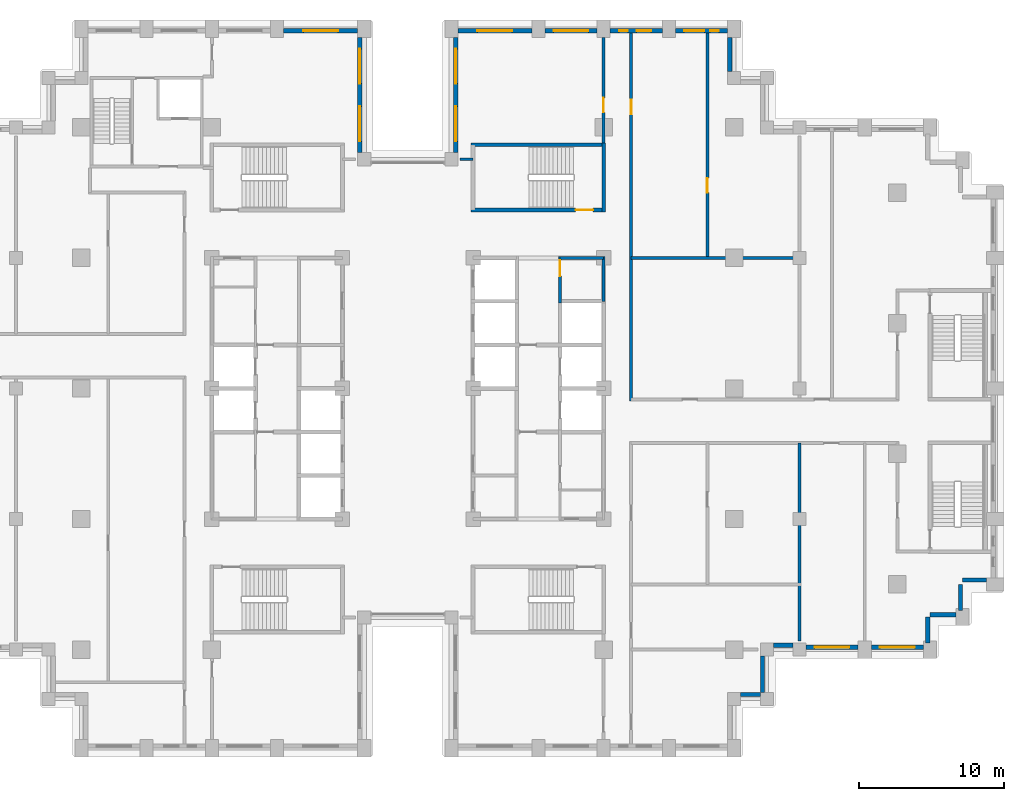
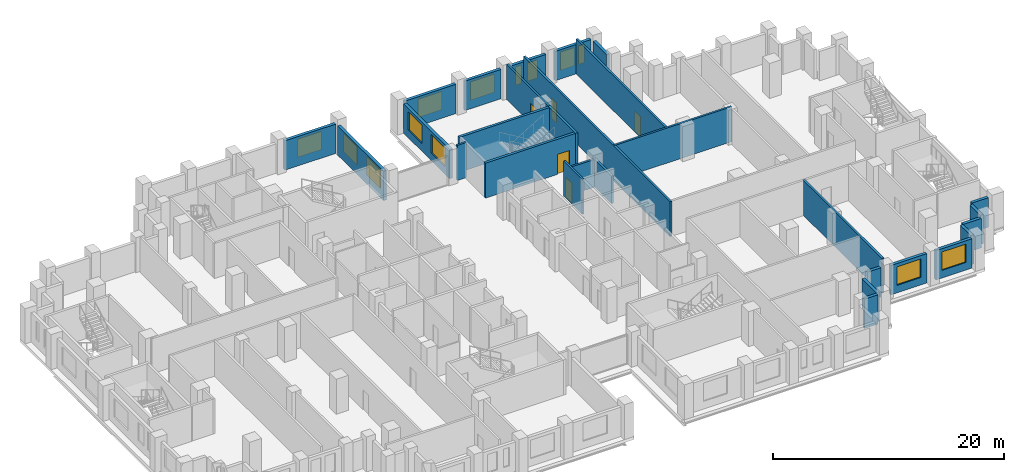
# One storey, part 11 of 16: 29 walls, 13 windows, 5 doors, 18 openings.
"""IFC4 building model written with IfcOpenShell, lengths in metres."""

from ifc_helpers import new_model, si_unit, direction, frame, frame_2d, origin, place, context, subcontext, project, spatial, rectangle, extrude, material, layer, layer_set, type_object, element, fill, save


model = new_model("IFC4")

# Units and contexts
model_context = context("Model", 3, precision=1e-05, world=origin(), true_north=direction((0.0, 1.0)))
body_context = subcontext(model_context, "Body", "Model", "MODEL_VIEW")
ifc_project = project(units=[si_unit("LENGTHUNIT", "METRE"), si_unit("AREAUNIT", "SQUARE_METRE"), si_unit("VOLUMEUNIT", "CUBIC_METRE"), si_unit("PLANEANGLEUNIT", "RADIAN"), si_unit("MASSUNIT", "GRAM", prefix="KILO")], contexts=[model_context])

# Site, building, storey
site_placement = place(None, origin())
site = spatial("IfcSite", under=ifc_project, at=site_placement, CompositionType="ELEMENT")
building_placement = place(site_placement, origin())
building = spatial("IfcBuilding", under=site, at=building_placement, Name="Corbelhall Arena Tower", CompositionType="ELEMENT")
storey_placement = place(building_placement, frame((0.0, 0.0, 104.0)))
storey = spatial("IfcBuildingStorey", under=building, at=storey_placement, Name="L18", CompositionType="ELEMENT", Elevation=104.0)

# Walls
ifc_material_1 = material(Name="Precast concrete C40/50 with granite facing", Category="masonry")
ifc_layer_1 = layer(ifc_material_1, 0.300048828125)
ifc_layer_set_1 = layer_set([ifc_layer_1], Name="EV-IW1 Infill panel 300")
wall_type_1 = type_object("IfcWallType", Name="EV-IW1 Infill panel 300", PredefinedType="SOLIDWALL", material=ifc_layer_set_1)
for number, where, z_axis, x_axis, name in (
    (1, (35.85009765625, -17.550048828125, 0.0), (0.0, 0.0, 1.0), (0.0, 1.0, 0.0), "Infill panel IW1"),
    (2, (37.800048828125, -15.60009765625, 0.0), (0.0, 0.0, 1.0), (-1.0, 0.0, 0.0), "Infill panel IW1"),
    (3, (38.10009765625, -15.300048828125, 0.0), (0.0, 0.0, 1.0), (0.0, 1.0, 0.0), "Infill panel IW1"),
):
    element("IfcWall", number, at=place(storey_placement, frame(where, z_axis=z_axis, x_axis=x_axis)), inside=storey, type_object=wall_type_1, Name=name, PredefinedType="SOLIDWALL", context=body_context, shape_type="SweptSolid", body=[
        extrude(rectangle(XDim=1.800048828125, YDim=0.300048828125, at=frame_2d((0.89990234375, 0.0))), origin(), (0.0, 0.0, 1.0), 3.10009765625),
    ])
wall_1_placement = place(storey_placement, frame((39.89990234375, -13.199951171875, 0.0), z_axis=(0.0, 0.0, 1.0), x_axis=(-1.0, 0.0, 0.0)))
element("IfcWall", 4, at=wall_1_placement, inside=storey, type_object=wall_type_1, Name="Infill panel IW1", PredefinedType="SOLIDWALL", context=body_context, shape_type="SweptSolid", body=[
    extrude(rectangle(XDim=1.64990234375, YDim=0.300048828125, at=frame_2d((0.824951171875, 0.0))), origin(), (0.0, 0.0, 1.0), 3.10009765625),
])
wall_2_placement = place(storey_placement, frame((22.949951171875, -21.10009765625, 0.0), z_axis=(0.0, 0.0, 1.0), x_axis=(1.0, 0.0, 0.0)))
element("IfcWall", 5, at=wall_2_placement, inside=storey, type_object=wall_type_1, Name="Infill panel IW1", PredefinedType="SOLIDWALL", context=body_context, shape_type="SweptSolid", body=[
    extrude(rectangle(XDim=1.35009765625, YDim=0.300048828125, at=frame_2d((0.675048828125, 0.0))), origin(), (0.0, 0.0, 1.0), 3.10009765625),
])
wall_3_placement = place(storey_placement, frame((24.449951171875, -20.949951171875, 0.0), z_axis=(0.0, 0.0, 1.0), x_axis=(0.0, 1.0, 0.0)))
element("IfcWall", 6, at=wall_3_placement, inside=storey, type_object=wall_type_1, Name="Infill panel IW1", PredefinedType="SOLIDWALL", context=body_context, shape_type="SweptSolid", body=[
    extrude(rectangle(XDim=2.5, YDim=0.300048828125, at=frame_2d((1.25, 0.0))), origin(), (0.0, 0.0, 1.0), 3.10009765625),
])
wall_4_placement = place(storey_placement, frame((25.199951171875, -17.699951171875, 0.0), z_axis=(0.0, 0.0, 1.0), x_axis=(1.0, 0.0, 0.0)))
element("IfcWall", 7, at=wall_4_placement, inside=storey, type_object=wall_type_1, Name="Infill panel IW1", PredefinedType="SOLIDWALL", context=body_context, shape_type="SweptSolid", body=[
    extrude(rectangle(XDim=1.35009765625, YDim=0.300048828125, at=frame_2d((0.675048828125, 0.0))), origin(), (0.0, 0.0, 1.0), 3.10009765625),
])

# Wall, opening, window
wall_5_placement = place(storey_placement, frame((27.449951171875, -17.85009765625, 0.0), z_axis=(0.0, 0.0, 1.0), x_axis=(1.0, 0.0, 0.0)))
wall_5 = element("IfcWall", 8, at=wall_5_placement, inside=storey, type_object=wall_type_1, Name="Infill panel IW1", PredefinedType="SOLIDWALL", context=body_context, shape_type="SweptSolid", body=[
    extrude(rectangle(XDim=3.60009765625, YDim=0.300048828125, at=frame_2d((1.800048828125, 0.0))), origin(), (0.0, 0.0, 1.0), 3.10009765625),
])
opening_1_placement = place(wall_5_placement, frame((0.60009765625, 0.0, 0.800048828125)))
opening_1 = element("IfcOpeningElement", 9, at=opening_1_placement, cuts=wall_5, Name="Opening WN1", PredefinedType="OPENING", context=body_context, shape_type="SweptSolid", body=[
    extrude(rectangle(XDim=2.39990234375, YDim=1.949951171875, at=frame_2d((1.199951171875, 0.97509765625))), frame((0.0, 0.14990234375, 0.0), z_axis=(0.0, -1.0, 0.0), x_axis=(1.0, 0.0, 0.0)), (0.0, 0.0, 1.0), 0.300048828125),
])
ifc_material_2 = material(Name="Aluminium black anodised", Category="aluminium")
window_type_1 = type_object("IfcWindowType", Name="EV-WN1 Office window", PartitioningType="SINGLE_PANEL", PredefinedType="WINDOW", material=ifc_material_2)
window_1_placement = place(opening_1_placement, origin())
window_1 = element("IfcWindow", 10, at=window_1_placement, inside=storey, type_object=window_type_1, Name="Window WN1", OverallHeight=1.949951171875, OverallWidth=2.39990234375, PartitioningType="SINGLE_PANEL", PredefinedType="WINDOW", context=body_context, shape_type="SweptSolid", body=[
    extrude(rectangle(XDim=2.39990234375, YDim=1.949951171875, at=frame_2d((1.199951171875, 0.97509765625))), frame((0.0, 0.030029296875, 0.0), z_axis=(0.0, -1.0, 0.0), x_axis=(1.0, 0.0, 0.0)), (0.0, 0.0, 1.0), 0.06005859375),
])
fill(opening_1, window_1)

wall_6_placement = place(storey_placement, frame((31.949951171875, -17.85009765625, 0.0), z_axis=(0.0, 0.0, 1.0), x_axis=(1.0, 0.0, 0.0)))
wall_6 = element("IfcWall", 11, at=wall_6_placement, inside=storey, type_object=wall_type_1, Name="Infill panel IW1", PredefinedType="SOLIDWALL", context=body_context, shape_type="SweptSolid", body=[
    extrude(rectangle(XDim=3.60009765625, YDim=0.300048828125, at=frame_2d((1.800048828125, 0.0))), origin(), (0.0, 0.0, 1.0), 3.10009765625),
])
opening_2_placement = place(wall_6_placement, frame((0.60009765625, 0.0, 0.800048828125)))
opening_2 = element("IfcOpeningElement", 12, at=opening_2_placement, cuts=wall_6, Name="Opening WN1", PredefinedType="OPENING", context=body_context, shape_type="SweptSolid", body=[
    extrude(rectangle(XDim=2.39990234375, YDim=1.949951171875, at=frame_2d((1.199951171875, 0.97509765625))), frame((0.0, 0.14990234375, 0.0), z_axis=(0.0, -1.0, 0.0), x_axis=(1.0, 0.0, 0.0)), (0.0, 0.0, 1.0), 0.300048828125),
])
window_2_placement = place(opening_2_placement, origin())
window_2 = element("IfcWindow", 13, at=window_2_placement, inside=storey, type_object=window_type_1, Name="Window WN1", OverallHeight=1.949951171875, OverallWidth=2.39990234375, PartitioningType="SINGLE_PANEL", PredefinedType="WINDOW", context=body_context, shape_type="SweptSolid", body=[
    extrude(rectangle(XDim=2.39990234375, YDim=1.949951171875, at=frame_2d((1.199951171875, 0.97509765625))), frame((0.0, 0.030029296875, 0.0), z_axis=(0.0, -1.0, 0.0), x_axis=(1.0, 0.0, 0.0)), (0.0, 0.0, 1.0), 0.06005859375),
])
fill(opening_2, window_2)

# Wall
wall_7_placement = place(storey_placement, frame((22.199951171875, 21.85009765625, 0.0), z_axis=(0.0, 0.0, 1.0), x_axis=(0.0, 1.0, 0.0)))
element("IfcWall", 14, at=wall_7_placement, inside=storey, type_object=wall_type_1, Name="Infill panel IW1", PredefinedType="SOLIDWALL", context=body_context, shape_type="SweptSolid", body=[
    extrude(rectangle(XDim=2.349853515625, YDim=0.300048828125, at=frame_2d((1.1748046875, 0.0))), origin(), (0.0, 0.0, 1.0), 3.10009765625),
])

# Wall, openings, windows
wall_8_placement = place(storey_placement, frame((22.050048828125, 24.64990234375, 0.0), z_axis=(0.0, 0.0, 1.0), x_axis=(-1.0, 0.0, 0.0)))
wall_8 = element("IfcWall", 15, at=wall_8_placement, inside=storey, type_object=wall_type_1, Name="Infill panel IW1", PredefinedType="SOLIDWALL", context=body_context, shape_type="SweptSolid", body=[
    extrude(rectangle(XDim=3.60009765625, YDim=0.300048828125, at=frame_2d((1.800048828125, 0.0))), origin(), (0.0, 0.0, 1.0), 3.10009765625),
])
opening_3_placement = place(wall_8_placement, frame((0.60009765625, 0.0, 0.800048828125)))
opening_3 = element("IfcOpeningElement", 16, at=opening_3_placement, cuts=wall_8, Name="Opening WN5", PredefinedType="OPENING", context=body_context, shape_type="SweptSolid", body=[
    extrude(rectangle(XDim=0.60009765625, YDim=1.949951171875, at=frame_2d((0.300048828125, 0.97509765625))), frame((0.0, 0.14990234375, 0.0), z_axis=(0.0, -1.0, 0.0), x_axis=(1.0, 0.0, 0.0)), (0.0, 0.0, 1.0), 0.300048828125),
])
opening_4_placement = place(wall_8_placement, frame((1.60009765625, 0.0, 0.800048828125)))
opening_4 = element("IfcOpeningElement", 17, at=opening_4_placement, cuts=wall_8, Name="Opening WN7", PredefinedType="OPENING", context=body_context, shape_type="SweptSolid", body=[
    extrude(rectangle(XDim=1.39990234375, YDim=1.949951171875, at=frame_2d((0.699951171875, 0.97509765625))), frame((0.0, 0.14990234375, 0.0), z_axis=(0.0, -1.0, 0.0), x_axis=(1.0, 0.0, 0.0)), (0.0, 0.0, 1.0), 0.300048828125),
])
window_type_2 = type_object("IfcWindowType", Name="EV-WN5 Office window 600", PartitioningType="SINGLE_PANEL", PredefinedType="WINDOW", material=ifc_material_2)
window_3_placement = place(opening_3_placement, origin())
window_3 = element("IfcWindow", 18, at=window_3_placement, inside=storey, type_object=window_type_2, Name="Window WN5", OverallHeight=1.949951171875, OverallWidth=0.60009765625, PartitioningType="SINGLE_PANEL", PredefinedType="WINDOW", context=body_context, shape_type="SweptSolid", body=[
    extrude(rectangle(XDim=0.60009765625, YDim=1.949951171875, at=frame_2d((0.300048828125, 0.97509765625))), frame((0.0, 0.030029296875, 0.0), z_axis=(0.0, -1.0, 0.0), x_axis=(1.0, 0.0, 0.0)), (0.0, 0.0, 1.0), 0.06005859375),
])
fill(opening_3, window_3)
window_type_3 = type_object("IfcWindowType", Name="EV-WN7 Office window 1400", PartitioningType="SINGLE_PANEL", PredefinedType="WINDOW", material=ifc_material_2)
window_4_placement = place(opening_4_placement, origin())
window_4 = element("IfcWindow", 19, at=window_4_placement, inside=storey, type_object=window_type_3, Name="Window WN7", OverallHeight=1.949951171875, OverallWidth=1.39990234375, PartitioningType="SINGLE_PANEL", PredefinedType="WINDOW", context=body_context, shape_type="SweptSolid", body=[
    extrude(rectangle(XDim=1.39990234375, YDim=1.949951171875, at=frame_2d((0.699951171875, 0.97509765625))), frame((0.0, 0.030029296875, 0.0), z_axis=(0.0, -1.0, 0.0), x_axis=(1.0, 0.0, 0.0)), (0.0, 0.0, 1.0), 0.06005859375),
])
fill(opening_4, window_4)

wall_9_placement = place(storey_placement, frame((17.550048828125, 24.64990234375, 0.0), z_axis=(0.0, 0.0, 1.0), x_axis=(-1.0, 0.0, 0.0)))
wall_9 = element("IfcWall", 20, at=wall_9_placement, inside=storey, type_object=wall_type_1, Name="Infill panel IW1", PredefinedType="SOLIDWALL", context=body_context, shape_type="SweptSolid", body=[
    extrude(rectangle(XDim=3.60009765625, YDim=0.300048828125, at=frame_2d((1.800048828125, 0.0))), origin(), (0.0, 0.0, 1.0), 3.10009765625),
])
opening_5_placement = place(wall_9_placement, frame((0.77490234375, 0.0, 0.800048828125)))
opening_5 = element("IfcOpeningElement", 21, at=opening_5_placement, cuts=wall_9, Name="Opening WN6", PredefinedType="OPENING", context=body_context, shape_type="SweptSolid", body=[
    extrude(rectangle(XDim=1.0, YDim=1.949951171875, at=frame_2d((0.5, 0.97509765625))), frame((0.0, 0.14990234375, 0.0), z_axis=(0.0, -1.0, 0.0), x_axis=(1.0, 0.0, 0.0)), (0.0, 0.0, 1.0), 0.300048828125),
])
opening_6_placement = place(wall_9_placement, frame((2.375, 0.0, 0.800048828125)))
opening_6 = element("IfcOpeningElement", 22, at=opening_6_placement, cuts=wall_9, Name="Opening WN5", PredefinedType="OPENING", context=body_context, shape_type="SweptSolid", body=[
    extrude(rectangle(XDim=0.60009765625, YDim=1.949951171875, at=frame_2d((0.300048828125, 0.97509765625))), frame((0.0, 0.14990234375, 0.0), z_axis=(0.0, -1.0, 0.0), x_axis=(1.0, 0.0, 0.0)), (0.0, 0.0, 1.0), 0.300048828125),
])
window_5_placement = place(opening_6_placement, origin())
window_5 = element("IfcWindow", 23, at=window_5_placement, inside=storey, type_object=window_type_2, Name="Window WN5", OverallHeight=1.949951171875, OverallWidth=0.60009765625, PartitioningType="SINGLE_PANEL", PredefinedType="WINDOW", context=body_context, shape_type="SweptSolid", body=[
    extrude(rectangle(XDim=0.60009765625, YDim=1.949951171875, at=frame_2d((0.300048828125, 0.97509765625))), frame((0.0, 0.030029296875, 0.0), z_axis=(0.0, -1.0, 0.0), x_axis=(1.0, 0.0, 0.0)), (0.0, 0.0, 1.0), 0.06005859375),
])
fill(opening_6, window_5)
window_type_4 = type_object("IfcWindowType", Name="EV-WN6 Office window 1000", PartitioningType="SINGLE_PANEL", PredefinedType="WINDOW", material=ifc_material_2)
window_6_placement = place(opening_5_placement, origin())
window_6 = element("IfcWindow", 24, at=window_6_placement, inside=storey, type_object=window_type_4, Name="Window WN6", OverallHeight=1.949951171875, OverallWidth=1.0, PartitioningType="SINGLE_PANEL", PredefinedType="WINDOW", context=body_context, shape_type="SweptSolid", body=[
    extrude(rectangle(XDim=1.0, YDim=1.949951171875, at=frame_2d((0.5, 0.97509765625))), frame((0.0, 0.030029296875, 0.0), z_axis=(0.0, -1.0, 0.0), x_axis=(1.0, 0.0, 0.0)), (0.0, 0.0, 1.0), 0.06005859375),
])
fill(opening_5, window_6)

# Wall, opening, window
wall_10_placement = place(storey_placement, frame((13.050048828125, 24.64990234375, 0.0), z_axis=(0.0, 0.0, 1.0), x_axis=(-1.0, 0.0, 0.0)))
wall_10 = element("IfcWall", 25, at=wall_10_placement, inside=storey, type_object=wall_type_1, Name="Infill panel IW1", PredefinedType="SOLIDWALL", context=body_context, shape_type="SweptSolid", body=[
    extrude(rectangle(XDim=3.60009765625, YDim=0.300048828125, at=frame_2d((1.800048828125, 0.0))), origin(), (0.0, 0.0, 1.0), 3.10009765625),
])
opening_7_placement = place(wall_10_placement, frame((0.60009765625, 0.0, 0.800048828125)))
opening_7 = element("IfcOpeningElement", 26, at=opening_7_placement, cuts=wall_10, Name="Opening WN1", PredefinedType="OPENING", context=body_context, shape_type="SweptSolid", body=[
    extrude(rectangle(XDim=2.39990234375, YDim=1.949951171875, at=frame_2d((1.199951171875, 0.97509765625))), frame((0.0, 0.14990234375, 0.0), z_axis=(0.0, -1.0, 0.0), x_axis=(1.0, 0.0, 0.0)), (0.0, 0.0, 1.0), 0.300048828125),
])
window_7_placement = place(opening_7_placement, origin())
window_7 = element("IfcWindow", 27, at=window_7_placement, inside=storey, type_object=window_type_1, Name="Window WN1", OverallHeight=1.949951171875, OverallWidth=2.39990234375, PartitioningType="SINGLE_PANEL", PredefinedType="WINDOW", context=body_context, shape_type="SweptSolid", body=[
    extrude(rectangle(XDim=2.39990234375, YDim=1.949951171875, at=frame_2d((1.199951171875, 0.97509765625))), frame((0.0, 0.030029296875, 0.0), z_axis=(0.0, -1.0, 0.0), x_axis=(1.0, 0.0, 0.0)), (0.0, 0.0, 1.0), 0.06005859375),
])
fill(opening_7, window_7)

wall_11_placement = place(storey_placement, frame((8.550048828125, 24.64990234375, 0.0), z_axis=(0.0, 0.0, 1.0), x_axis=(-1.0, 0.0, 0.0)))
wall_11 = element("IfcWall", 28, at=wall_11_placement, inside=storey, type_object=wall_type_1, Name="Infill panel IW1", PredefinedType="SOLIDWALL", context=body_context, shape_type="SweptSolid", body=[
    extrude(rectangle(XDim=5.10009765625, YDim=0.300048828125, at=frame_2d((2.550048828125, 0.0))), origin(), (0.0, 0.0, 1.0), 3.10009765625),
])
opening_8_placement = place(wall_11_placement, frame((1.35009765625, 0.0, 0.800048828125)))
opening_8 = element("IfcOpeningElement", 29, at=opening_8_placement, cuts=wall_11, Name="Opening WN1", PredefinedType="OPENING", context=body_context, shape_type="SweptSolid", body=[
    extrude(rectangle(XDim=2.39990234375, YDim=1.949951171875, at=frame_2d((1.199951171875, 0.97509765625))), frame((0.0, 0.14990234375, 0.0), z_axis=(0.0, -1.0, 0.0), x_axis=(1.0, 0.0, 0.0)), (0.0, 0.0, 1.0), 0.300048828125),
])
window_8_placement = place(opening_8_placement, origin())
window_8 = element("IfcWindow", 30, at=window_8_placement, inside=storey, type_object=window_type_1, Name="Window WN1", OverallHeight=1.949951171875, OverallWidth=2.39990234375, PartitioningType="SINGLE_PANEL", PredefinedType="WINDOW", context=body_context, shape_type="SweptSolid", body=[
    extrude(rectangle(XDim=2.39990234375, YDim=1.949951171875, at=frame_2d((1.199951171875, 0.97509765625))), frame((0.0, 0.030029296875, 0.0), z_axis=(0.0, -1.0, 0.0), x_axis=(1.0, 0.0, 0.0)), (0.0, 0.0, 1.0), 0.06005859375),
])
fill(opening_8, window_8)

# Wall, openings, windows
wall_12_placement = place(storey_placement, frame((3.300048828125, 24.199951171875, 0.0), z_axis=(0.0, 0.0, 1.0), x_axis=(0.0, -1.0, 0.0)))
wall_12 = element("IfcWall", 31, at=wall_12_placement, inside=storey, type_object=wall_type_1, Name="Infill panel IW1", PredefinedType="SOLIDWALL", context=body_context, shape_type="SweptSolid", body=[
    extrude(rectangle(XDim=7.949951171875, YDim=0.300048828125, at=frame_2d((3.97509765625, 0.0))), origin(), (0.0, 0.0, 1.0), 3.10009765625),
])
opening_9_placement = place(wall_12_placement, frame((0.78759765625, 0.0, 0.800048828125)))
opening_9 = element("IfcOpeningElement", 32, at=opening_9_placement, cuts=wall_12, Name="Opening WN1", PredefinedType="OPENING", context=body_context, shape_type="SweptSolid", body=[
    extrude(rectangle(XDim=2.39990234375, YDim=1.949951171875, at=frame_2d((1.199951171875, 0.97509765625))), frame((0.0, 0.14990234375, 0.0), z_axis=(0.0, -1.0, 0.0), x_axis=(1.0, 0.0, 0.0)), (0.0, 0.0, 1.0), 0.300048828125),
])
opening_10_placement = place(wall_12_placement, frame((4.762451171875, 0.0, 0.800048828125)))
opening_10 = element("IfcOpeningElement", 33, at=opening_10_placement, cuts=wall_12, Name="Opening WN1", PredefinedType="OPENING", context=body_context, shape_type="SweptSolid", body=[
    extrude(rectangle(XDim=2.39990234375, YDim=1.949951171875, at=frame_2d((1.199951171875, 0.97509765625))), frame((0.0, 0.14990234375, 0.0), z_axis=(0.0, -1.0, 0.0), x_axis=(1.0, 0.0, 0.0)), (0.0, 0.0, 1.0), 0.300048828125),
])
window_9_placement = place(opening_9_placement, origin())
window_9 = element("IfcWindow", 34, at=window_9_placement, inside=storey, type_object=window_type_1, Name="Window WN1", OverallHeight=1.949951171875, OverallWidth=2.39990234375, PartitioningType="SINGLE_PANEL", PredefinedType="WINDOW", context=body_context, shape_type="SweptSolid", body=[
    extrude(rectangle(XDim=2.39990234375, YDim=1.949951171875, at=frame_2d((1.199951171875, 0.97509765625))), frame((0.0, 0.030029296875, 0.0), z_axis=(0.0, -1.0, 0.0), x_axis=(1.0, 0.0, 0.0)), (0.0, 0.0, 1.0), 0.06005859375),
])
fill(opening_9, window_9)
window_10_placement = place(opening_10_placement, origin())
window_10 = element("IfcWindow", 35, at=window_10_placement, inside=storey, type_object=window_type_1, Name="Window WN1", OverallHeight=1.949951171875, OverallWidth=2.39990234375, PartitioningType="SINGLE_PANEL", PredefinedType="WINDOW", context=body_context, shape_type="SweptSolid", body=[
    extrude(rectangle(XDim=2.39990234375, YDim=1.949951171875, at=frame_2d((1.199951171875, 0.97509765625))), frame((0.0, 0.030029296875, 0.0), z_axis=(0.0, -1.0, 0.0), x_axis=(1.0, 0.0, 0.0)), (0.0, 0.0, 1.0), 0.06005859375),
])
fill(opening_10, window_10)

wall_13_placement = place(storey_placement, frame((-3.300048828125, 16.25, 0.0), z_axis=(0.0, 0.0, 1.0), x_axis=(0.0, 1.0, 0.0)))
wall_13 = element("IfcWall", 36, at=wall_13_placement, inside=storey, type_object=wall_type_1, Name="Infill panel IW1", PredefinedType="SOLIDWALL", context=body_context, shape_type="SweptSolid", body=[
    extrude(rectangle(XDim=7.949951171875, YDim=0.300048828125, at=frame_2d((3.97509765625, 0.0))), origin(), (0.0, 0.0, 1.0), 3.10009765625),
])
opening_11_placement = place(wall_13_placement, frame((0.78759765625, 0.0, 0.800048828125)))
opening_11 = element("IfcOpeningElement", 37, at=opening_11_placement, cuts=wall_13, Name="Opening WN1", PredefinedType="OPENING", context=body_context, shape_type="SweptSolid", body=[
    extrude(rectangle(XDim=2.39990234375, YDim=1.949951171875, at=frame_2d((1.199951171875, 0.97509765625))), frame((0.0, 0.14990234375, 0.0), z_axis=(0.0, -1.0, 0.0), x_axis=(1.0, 0.0, 0.0)), (0.0, 0.0, 1.0), 0.300048828125),
])
opening_12_placement = place(wall_13_placement, frame((4.762451171875, 0.0, 0.800048828125)))
opening_12 = element("IfcOpeningElement", 38, at=opening_12_placement, cuts=wall_13, Name="Opening WN1", PredefinedType="OPENING", context=body_context, shape_type="SweptSolid", body=[
    extrude(rectangle(XDim=2.39990234375, YDim=1.949951171875, at=frame_2d((1.199951171875, 0.97509765625))), frame((0.0, 0.14990234375, 0.0), z_axis=(0.0, -1.0, 0.0), x_axis=(1.0, 0.0, 0.0)), (0.0, 0.0, 1.0), 0.300048828125),
])
window_11_placement = place(opening_11_placement, origin())
window_11 = element("IfcWindow", 39, at=window_11_placement, inside=storey, type_object=window_type_1, Name="Window WN1", OverallHeight=1.949951171875, OverallWidth=2.39990234375, PartitioningType="SINGLE_PANEL", PredefinedType="WINDOW", context=body_context, shape_type="SweptSolid", body=[
    extrude(rectangle(XDim=2.39990234375, YDim=1.949951171875, at=frame_2d((1.199951171875, 0.97509765625))), frame((0.0, 0.030029296875, 0.0), z_axis=(0.0, -1.0, 0.0), x_axis=(1.0, 0.0, 0.0)), (0.0, 0.0, 1.0), 0.06005859375),
])
fill(opening_11, window_11)
window_12_placement = place(opening_12_placement, origin())
window_12 = element("IfcWindow", 40, at=window_12_placement, inside=storey, type_object=window_type_1, Name="Window WN1", OverallHeight=1.949951171875, OverallWidth=2.39990234375, PartitioningType="SINGLE_PANEL", PredefinedType="WINDOW", context=body_context, shape_type="SweptSolid", body=[
    extrude(rectangle(XDim=2.39990234375, YDim=1.949951171875, at=frame_2d((1.199951171875, 0.97509765625))), frame((0.0, 0.030029296875, 0.0), z_axis=(0.0, -1.0, 0.0), x_axis=(1.0, 0.0, 0.0)), (0.0, 0.0, 1.0), 0.06005859375),
])
fill(opening_12, window_12)

# Wall, opening, window
wall_14_placement = place(storey_placement, frame((-3.449951171875, 24.64990234375, 0.0), z_axis=(0.0, 0.0, 1.0), x_axis=(-1.0, 0.0, 0.0)))
wall_14 = element("IfcWall", 41, at=wall_14_placement, inside=storey, type_object=wall_type_1, Name="Infill panel IW1", PredefinedType="SOLIDWALL", context=body_context, shape_type="SweptSolid", body=[
    extrude(rectangle(XDim=5.10009765625, YDim=0.300048828125, at=frame_2d((2.550048828125, 0.0))), origin(), (0.0, 0.0, 1.0), 3.10009765625),
])
opening_13_placement = place(wall_14_placement, frame((1.35009765625, 0.0, 0.800048828125)))
opening_13 = element("IfcOpeningElement", 42, at=opening_13_placement, cuts=wall_14, Name="Opening WN1", PredefinedType="OPENING", context=body_context, shape_type="SweptSolid", body=[
    extrude(rectangle(XDim=2.39990234375, YDim=1.949951171875, at=frame_2d((1.199951171875, 0.97509765625))), frame((0.0, 0.14990234375, 0.0), z_axis=(0.0, -1.0, 0.0), x_axis=(1.0, 0.0, 0.0)), (0.0, 0.0, 1.0), 0.300048828125),
])
window_13_placement = place(opening_13_placement, origin())
window_13 = element("IfcWindow", 43, at=window_13_placement, inside=storey, type_object=window_type_1, Name="Window WN1", OverallHeight=1.949951171875, OverallWidth=2.39990234375, PartitioningType="SINGLE_PANEL", PredefinedType="WINDOW", context=body_context, shape_type="SweptSolid", body=[
    extrude(rectangle(XDim=2.39990234375, YDim=1.949951171875, at=frame_2d((1.199951171875, 0.97509765625))), frame((0.0, 0.030029296875, 0.0), z_axis=(0.0, -1.0, 0.0), x_axis=(1.0, 0.0, 0.0)), (0.0, 0.0, 1.0), 0.06005859375),
])
fill(opening_13, window_13)

# Wall
ifc_material_3 = material(Name="Gypsum board on steel stud, acoustic", Category="steel")
ifc_layer_2 = layer(ifc_material_3, 0.199951171875)
ifc_layer_set_2 = layer_set([ifc_layer_2], Name="IN-W-DM200")
wall_type_2 = type_object("IfcWallType", Name="IN-W-DM200", PredefinedType="PARTITIONING", material=ifc_layer_set_2)
wall_15_placement = place(storey_placement, frame((3.60009765625, 15.800048828125, 0.0), z_axis=(0.0, 0.0, 1.0), x_axis=(1.0, 0.0, 0.0)))
element("IfcWall", 44, at=wall_15_placement, inside=storey, type_object=wall_type_2, Name="Partition 023", PredefinedType="PARTITIONING", context=body_context, shape_type="SweptSolid", body=[
    extrude(rectangle(XDim=0.89990234375, YDim=0.199951171875, at=frame_2d((0.449951171875, 0.0))), origin(), (0.0, 0.0, 1.0), 3.699951171875),
])

# Wall, opening, door
wall_16_placement = place(storey_placement, frame((13.5, 16.675048828125, 0.0), z_axis=(0.0, 0.0, 1.0), x_axis=(0.0, 1.0, 0.0)))
wall_16 = element("IfcWall", 45, at=wall_16_placement, inside=storey, type_object=wall_type_2, Name="Partition 026", PredefinedType="PARTITIONING", context=body_context, shape_type="SweptSolid", body=[
    extrude(rectangle(XDim=7.52490234375, YDim=0.199951171875, at=frame_2d((3.762451171875, 0.0))), origin(), (0.0, 0.0, 1.0), 3.699951171875),
])
opening_14_placement = place(wall_16_placement, frame((2.35009765625, 0.0, 0.0)))
opening_14 = element("IfcOpeningElement", 46, at=opening_14_placement, cuts=wall_16, Name="Opening 04024", PredefinedType="OPENING", context=body_context, shape_type="SweptSolid", body=[
    extrude(rectangle(XDim=1.0, YDim=2.10009765625, at=frame_2d((0.5, 1.050048828125))), frame((0.0, 0.10009765625, 0.0), z_axis=(0.0, -1.0, 0.0), x_axis=(1.0, 0.0, 0.0)), (0.0, 0.0, 1.0), 0.199951171875),
])
ifc_material_4 = material(Name="Steel door set", Category="steel")
door_type_1 = type_object("IfcDoorType", Name="IN-D-SW100", OperationType="NOTDEFINED", PredefinedType="DOOR", material=ifc_material_4)
door_1_placement = place(opening_14_placement, origin())
door_1 = element("IfcDoor", 47, at=door_1_placement, inside=storey, type_object=door_type_1, Name="Door 024", OperationType="SINGLE_SWING_LEFT", OverallHeight=2.10009765625, OverallWidth=1.0, PredefinedType="DOOR", context=body_context, shape_type="SweptSolid", body=[
    extrude(rectangle(XDim=1.0, YDim=2.10009765625, at=frame_2d((0.5, 1.050048828125))), frame((0.0, 0.02490234375, 0.0), z_axis=(0.0, -1.0, 0.0), x_axis=(1.0, 0.0, 0.0)), (0.0, 0.0, 1.0), 0.050048828125),
])
fill(opening_14, door_1)

# Wall
wall_17_placement = place(storey_placement, frame((15.39990234375, 9.0, 0.0), z_axis=(0.0, 0.0, 1.0), x_axis=(1.0, 0.0, 0.0)))
element("IfcWall", 48, at=wall_17_placement, inside=storey, type_object=wall_type_2, Name="Partition 031", PredefinedType="PARTITIONING", context=body_context, shape_type="SweptSolid", body=[
    extrude(rectangle(XDim=11.7001953125, YDim=0.199951171875, at=frame_2d((5.85009765625, 0.0))), origin(), (0.0, 0.0, 1.0), 3.699951171875),
])

# Wall, opening, door
wall_18_placement = place(storey_placement, frame((15.39990234375, 24.5, 0.0), z_axis=(0.0, 0.0, 1.0), x_axis=(0.0, -1.0, 0.0)))
wall_18 = element("IfcWall", 49, at=wall_18_placement, inside=storey, type_object=wall_type_2, Name="Partition 032", PredefinedType="PARTITIONING", context=body_context, shape_type="SweptSolid", body=[
    extrude(rectangle(XDim=25.35009765625, YDim=0.199951171875, at=frame_2d((12.675048828125, 0.0))), origin(), (0.0, 0.0, 1.0), 3.699951171875),
])
opening_15_placement = place(wall_18_placement, frame((4.60009765625, 0.0, 0.0)))
opening_15 = element("IfcOpeningElement", 50, at=opening_15_placement, cuts=wall_18, Name="Opening 04033", PredefinedType="OPENING", context=body_context, shape_type="SweptSolid", body=[
    extrude(rectangle(XDim=1.0, YDim=2.10009765625, at=frame_2d((0.5, 1.050048828125))), frame((0.0, 0.10009765625, 0.0), z_axis=(0.0, -1.0, 0.0), x_axis=(1.0, 0.0, 0.0)), (0.0, 0.0, 1.0), 0.199951171875),
])
door_2_placement = place(opening_15_placement, origin())
door_2 = element("IfcDoor", 51, at=door_2_placement, inside=storey, type_object=door_type_1, Name="Door 033", OperationType="SINGLE_SWING_RIGHT", OverallHeight=2.10009765625, OverallWidth=1.0, PredefinedType="DOOR", context=body_context, shape_type="SweptSolid", body=[
    extrude(rectangle(XDim=1.0, YDim=2.10009765625, at=frame_2d((0.5, 1.050048828125))), frame((0.0, 0.02490234375, 0.0), z_axis=(0.0, -1.0, 0.0), x_axis=(1.0, 0.0, 0.0)), (0.0, 0.0, 1.0), 0.050048828125),
])
fill(opening_15, door_2)

wall_19_placement = place(storey_placement, frame((20.64990234375, 24.5, 0.0), z_axis=(0.0, 0.0, 1.0), x_axis=(0.0, -1.0, 0.0)))
wall_19 = element("IfcWall", 52, at=wall_19_placement, inside=storey, type_object=wall_type_2, Name="Partition 034", PredefinedType="PARTITIONING", context=body_context, shape_type="SweptSolid", body=[
    extrude(rectangle(XDim=15.5, YDim=0.199951171875, at=frame_2d((7.75, 0.0))), origin(), (0.0, 0.0, 1.0), 3.699951171875),
])
opening_16_placement = place(wall_19_placement, frame((10.0, 0.0, 0.0)))
opening_16 = element("IfcOpeningElement", 53, at=opening_16_placement, cuts=wall_19, Name="Opening 04034", PredefinedType="OPENING", context=body_context, shape_type="SweptSolid", body=[
    extrude(rectangle(XDim=1.0, YDim=2.10009765625, at=frame_2d((0.5, 1.050048828125))), frame((0.0, 0.10009765625, 0.0), z_axis=(0.0, -1.0, 0.0), x_axis=(1.0, 0.0, 0.0)), (0.0, 0.0, 1.0), 0.199951171875),
])
door_3_placement = place(opening_16_placement, origin())
door_3 = element("IfcDoor", 54, at=door_3_placement, inside=storey, type_object=door_type_1, Name="Door 034", OperationType="SINGLE_SWING_LEFT", OverallHeight=2.10009765625, OverallWidth=1.0, PredefinedType="DOOR", context=body_context, shape_type="SweptSolid", body=[
    extrude(rectangle(XDim=1.0, YDim=2.10009765625, at=frame_2d((0.5, 1.050048828125))), frame((0.0, 0.02490234375, 0.0), z_axis=(0.0, -1.0, 0.0), x_axis=(1.0, 0.0, 0.0)), (0.0, 0.0, 1.0), 0.050048828125),
])
fill(opening_16, door_3)

# Wall
wall_20_placement = place(storey_placement, frame((27.0, -3.75, 0.0), z_axis=(0.0, 0.0, 1.0), x_axis=(0.0, -1.0, 0.0)))
element("IfcWall", 55, at=wall_20_placement, inside=storey, type_object=wall_type_2, Name="Partition 036", PredefinedType="PARTITIONING", context=body_context, shape_type="SweptSolid", body=[
    extrude(rectangle(XDim=13.64990234375, YDim=0.199951171875, at=frame_2d((6.824951171875, 0.0))), origin(), (0.0, 0.0, 1.0), 3.699951171875),
])

# Wall, opening, door
ifc_material_5 = material(Name="Concrete block wall", Category="concrete")
ifc_layer_3 = layer(ifc_material_5, 0.199951171875)
ifc_layer_set_3 = layer_set([ifc_layer_3], Name="IN-W-RS200")
wall_type_3 = type_object("IfcWallType", Name="IN-W-RS200", PredefinedType="SOLIDWALL", material=ifc_layer_set_3)
wall_21_placement = place(storey_placement, frame((10.5, 9.10009765625, 0.0), z_axis=(0.0, 0.0, 1.0), x_axis=(0.0, -1.0, 0.0)))
wall_21 = element("IfcWall", 56, at=wall_21_placement, inside=storey, type_object=wall_type_3, Name="Partition 057", PredefinedType="SOLIDWALL", context=body_context, shape_type="SweptSolid", body=[
    extrude(rectangle(XDim=3.22509765625, YDim=0.199951171875, at=frame_2d((1.612548828125, 0.0))), origin(), (0.0, 0.0, 1.0), 3.699951171875),
])
opening_17_placement = place(wall_21_placement, frame((0.25, 0.0, 0.0)))
opening_17 = element("IfcOpeningElement", 57, at=opening_17_placement, cuts=wall_21, Name="Opening 04014", PredefinedType="OPENING", context=body_context, shape_type="SweptSolid", body=[
    extrude(rectangle(XDim=1.10009765625, YDim=2.10009765625, at=frame_2d((0.550048828125, 1.050048828125))), frame((0.0, 0.10009765625, 0.0), z_axis=(0.0, -1.0, 0.0), x_axis=(1.0, 0.0, 0.0)), (0.0, 0.0, 1.0), 0.199951171875),
])
door_type_2 = type_object("IfcDoorType", Name="IN-D-FD110", OperationType="NOTDEFINED", PredefinedType="DOOR", material=ifc_material_4)
door_4_placement = place(opening_17_placement, origin())
door_4 = element("IfcDoor", 58, at=door_4_placement, inside=storey, type_object=door_type_2, Name="Door 014", OperationType="SINGLE_SWING_LEFT", OverallHeight=2.10009765625, OverallWidth=1.10009765625, PredefinedType="DOOR", context=body_context, shape_type="SweptSolid", body=[
    extrude(rectangle(XDim=1.10009765625, YDim=2.10009765625, at=frame_2d((0.550048828125, 1.050048828125))), frame((0.0, 0.02490234375, 0.0), z_axis=(0.0, -1.0, 0.0), x_axis=(1.0, 0.0, 0.0)), (0.0, 0.0, 1.0), 0.050048828125),
])
fill(opening_17, door_4)

# Walls
ifc_layer_4 = layer(ifc_material_5, 0.199951171875)
ifc_layer_set_4 = layer_set([ifc_layer_4], Name="IN-W-RS200 under beam 762 mm")
wall_type_4 = type_object("IfcWallType", Name="IN-W-RS200 under beam 762 mm", PredefinedType="SOLIDWALL", material=ifc_layer_set_4)
wall_22_placement = place(storey_placement, frame((10.5, 9.0, 0.0), z_axis=(0.0, 0.0, 1.0), x_axis=(1.0, 0.0, 0.0)))
element("IfcWall", 59, at=wall_22_placement, inside=storey, type_object=wall_type_4, Name="Partition 056", PredefinedType="SOLIDWALL", context=body_context, shape_type="SweptSolid", body=[
    extrude(rectangle(XDim=3.0, YDim=0.199951171875, at=frame_2d((1.5, 0.0))), origin(), (0.0, 0.0, 1.0), 2.93798828125),
])
wall_23_placement = place(storey_placement, frame((13.5, 9.10009765625, 0.0), z_axis=(0.0, 0.0, 1.0), x_axis=(0.0, -1.0, 0.0)))
element("IfcWall", 60, at=wall_23_placement, inside=storey, type_object=wall_type_4, Name="Partition 059", PredefinedType="SOLIDWALL", context=body_context, shape_type="SweptSolid", body=[
    extrude(rectangle(XDim=3.10009765625, YDim=0.199951171875, at=frame_2d((1.550048828125, 0.0))), origin(), (0.0, 0.0, 1.0), 2.93798828125),
])

# Wall, opening, door
ifc_material_6 = material(Name="Concrete C40/50", Category="concrete")
ifc_layer_5 = layer(ifc_material_6, 0.25)
ifc_layer_set_5 = layer_set([ifc_layer_5], Name="IN-W-ST250")
wall_type_5 = type_object("IfcWallType", Name="IN-W-ST250", PredefinedType="SOLIDWALL", material=ifc_layer_set_5)
wall_24_placement = place(storey_placement, frame((4.375, 12.300048828125, 0.0), z_axis=(0.0, 0.0, 1.0), x_axis=(1.0, 0.0, 0.0)))
wall_24 = element("IfcWall", 61, at=wall_24_placement, inside=storey, type_object=wall_type_5, Name="Shaft wall 095", PredefinedType="SOLIDWALL", context=body_context, shape_type="SweptSolid", body=[
    extrude(rectangle(XDim=9.125, YDim=0.25, at=frame_2d((4.5625, 0.0))), origin(), (0.0, 0.0, 1.0), 3.699951171875),
])
opening_18_placement = place(wall_24_placement, frame((7.199951171875, 0.0, 0.0)))
opening_18 = element("IfcOpeningElement", 62, at=opening_18_placement, cuts=wall_24, Name="Opening 04017", PredefinedType="OPENING", context=body_context, shape_type="SweptSolid", body=[
    extrude(rectangle(XDim=1.199951171875, YDim=2.10009765625, at=frame_2d((0.60009765625, 1.050048828125))), frame((0.0, 0.125, 0.0), z_axis=(0.0, -1.0, 0.0), x_axis=(1.0, 0.0, 0.0)), (0.0, 0.0, 1.0), 0.25),
])
door_type_3 = type_object("IfcDoorType", Name="IN-D-ST120", OperationType="NOTDEFINED", PredefinedType="DOOR", material=ifc_material_4)
door_5_placement = place(opening_18_placement, origin())
door_5 = element("IfcDoor", 63, at=door_5_placement, inside=storey, type_object=door_type_3, Name="Door 017", OperationType="SINGLE_SWING_RIGHT", OverallHeight=2.10009765625, OverallWidth=1.199951171875, PredefinedType="DOOR", context=body_context, shape_type="SweptSolid", body=[
    extrude(rectangle(XDim=1.199951171875, YDim=2.10009765625, at=frame_2d((0.60009765625, 1.050048828125))), frame((0.0, 0.02490234375, 0.0), z_axis=(0.0, -1.0, 0.0), x_axis=(1.0, 0.0, 0.0)), (0.0, 0.0, 1.0), 0.050048828125),
])
fill(opening_18, door_5)

# Walls
wall_25_placement = place(storey_placement, frame((4.375, 16.800048828125, 0.0), z_axis=(0.0, 0.0, 1.0), x_axis=(1.0, 0.0, 0.0)))
element("IfcWall", 64, at=wall_25_placement, inside=storey, type_object=wall_type_5, Name="Shaft wall 096", PredefinedType="SOLIDWALL", context=body_context, shape_type="SweptSolid", body=[
    extrude(rectangle(XDim=9.125, YDim=0.25, at=frame_2d((4.5625, 0.0))), origin(), (0.0, 0.0, 1.0), 3.699951171875),
])
wall_26_placement = place(storey_placement, frame((13.5, 12.175048828125, 0.0), z_axis=(0.0, 0.0, 1.0), x_axis=(0.0, 1.0, 0.0)))
element("IfcWall", 65, at=wall_26_placement, inside=storey, type_object=wall_type_5, Name="Shaft wall 102", PredefinedType="SOLIDWALL", context=body_context, shape_type="SweptSolid", body=[
    extrude(rectangle(XDim=4.75, YDim=0.25, at=frame_2d((2.375, 0.0))), origin(), (0.0, 0.0, 1.0), 3.699951171875),
])

save(model, "model.ifc")
